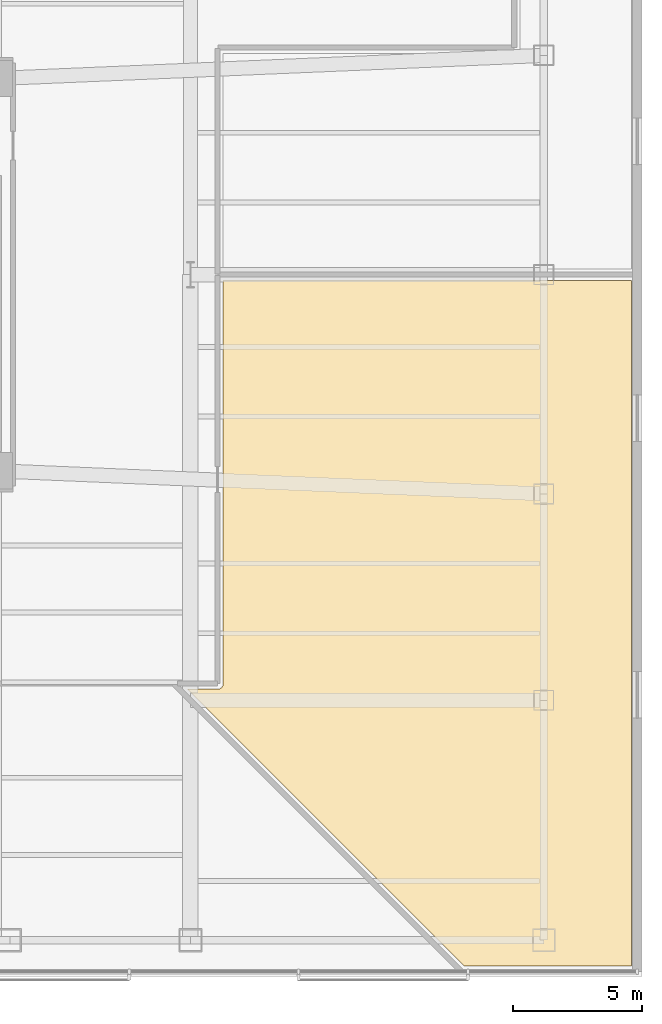
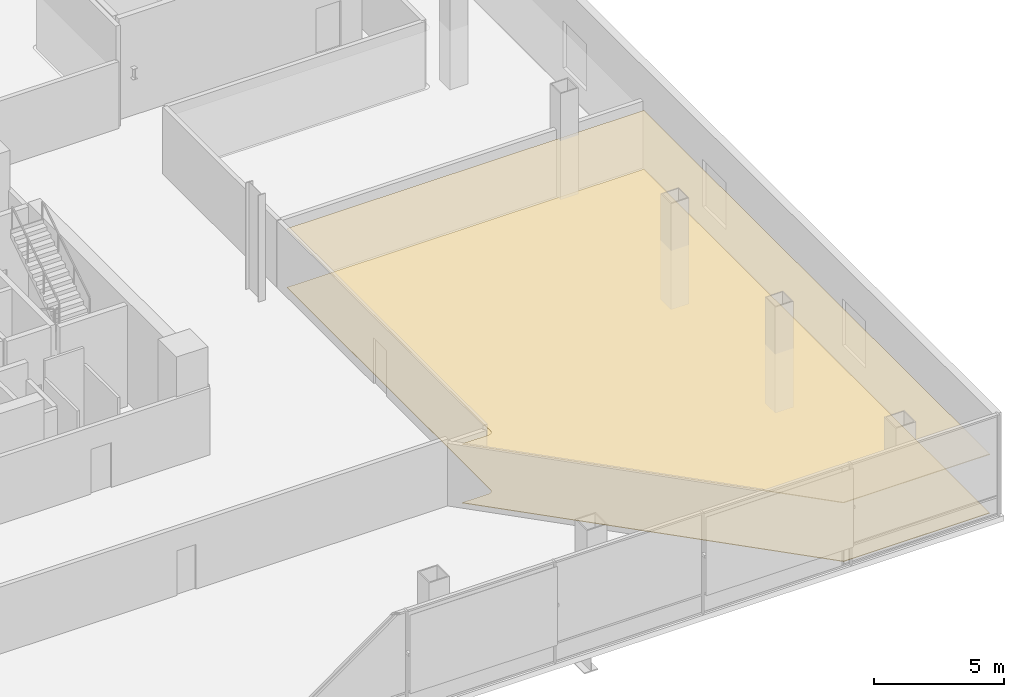
# One storey, part 21 of 24: 2 coverings.
"""IFC4 building model written with IfcOpenShell, lengths in metres."""

from ifc_helpers import new_model, si_unit, direction, frame, origin, place, context, subcontext, project, spatial, polyline, outline, extrude, material, layer, layer_set, type_object, element, save


model = new_model("IFC4")

# Units and contexts
model_context = context("Model", 3, precision=1e-05, world=origin(), true_north=direction((0.0, 1.0)))
body_context = subcontext(model_context, "Body", "Model", "MODEL_VIEW")
ifc_project = project(units=[si_unit("LENGTHUNIT", "METRE"), si_unit("AREAUNIT", "SQUARE_METRE"), si_unit("VOLUMEUNIT", "CUBIC_METRE"), si_unit("PLANEANGLEUNIT", "RADIAN"), si_unit("MASSUNIT", "GRAM", prefix="KILO")], contexts=[model_context])

# Site, building, storey
site_placement = place(None, origin())
site = spatial("IfcSite", under=ifc_project, at=site_placement, CompositionType="ELEMENT")
building_placement = place(site_placement, origin())
building = spatial("IfcBuilding", under=site, at=building_placement, Name="Tharavind Bronze Gate", CompositionType="ELEMENT")
storey_placement = place(building_placement, frame((0.0, 0.0, 21.5)))
storey = spatial("IfcBuildingStorey", under=building, at=storey_placement, Name="L04", CompositionType="ELEMENT", Elevation=21.5)

# Coverings
ifc_material_1 = material(Name="Engineered Oak & Carpet Tile", Category="wood")
ifc_layer_1 = layer(ifc_material_1, 0.02490234375)
ifc_layer_set_1 = layer_set([ifc_layer_1], Name="Engineered Oak & Carpet Tile")
covering_type_1 = type_object("IfcCoveringType", Name="ENGINEERED TIMBER FLOORING", PredefinedType="FLOORING", material=ifc_layer_set_1)
covering_1_placement = place(storey_placement, origin())
element("IfcCovering", 1, at=covering_1_placement, inside=storey, type_object=covering_type_1, Name="L04-PD-05 floor finish", PredefinedType="FLOORING", context=body_context, shape_type="SweptSolid", body=[
    extrude(outline(polyline([(27.111083984375, -26.800048828125), (33.60009765625, -26.800048828125), (33.60009765625, -0.219970703125), (17.77001953125, -0.219970703125), (17.77001953125, -15.849365234375), (17.769775390625, -15.860107421875), (17.769775390625, -15.86083984375), (17.767578125, -15.88232421875), (17.763427734375, -15.9033203125), (17.757080078125, -15.924072265625), (17.748779296875, -15.944091796875), (17.73876953125, -15.963134765625), (17.726806640625, -15.98095703125), (17.712890625, -15.997802734375), (17.69775390625, -16.012939453125), (17.680908203125, -16.026611328125), (17.6630859375, -16.038818359375), (17.64404296875, -16.048828125), (17.6240234375, -16.05712890625), (17.603515625, -16.0634765625), (17.582275390625, -16.067626953125), (17.560791015625, -16.069580078125), (17.560302734375, -16.069580078125), (17.54931640625, -16.070068359375), (16.381103515625, -16.070068359375), (27.111083984375, -26.800048828125)])), origin(), (0.0, 0.0, 1.0), 0.02490234375),
])
ifc_material_2 = material(Name="Acoustic Gypsum Board", Category="gypsum")
ifc_layer_2 = layer(ifc_material_2, 0.030029296875)
ifc_layer_set_2 = layer_set([ifc_layer_2], Name="Acoustic Gypsum Board")
covering_type_2 = type_object("IfcCoveringType", Name="GYPSUM SUSPENDED CEILING", PredefinedType="CEILING", material=ifc_layer_set_2)
covering_2_placement = place(storey_placement, frame((0.0, 0.0, 2.75)))
element("IfcCovering", 2, at=covering_2_placement, inside=storey, type_object=covering_type_2, Name="L04-PD-05 suspended ceiling", PredefinedType="CEILING", context=body_context, shape_type="SweptSolid", body=[
    extrude(outline(polyline([(27.111083984375, -26.800048828125), (33.60009765625, -26.800048828125), (33.60009765625, -0.219970703125), (17.77001953125, -0.219970703125), (17.77001953125, -15.849365234375), (17.769775390625, -15.860107421875), (17.769775390625, -15.86083984375), (17.767578125, -15.88232421875), (17.763427734375, -15.9033203125), (17.757080078125, -15.924072265625), (17.748779296875, -15.944091796875), (17.73876953125, -15.963134765625), (17.726806640625, -15.98095703125), (17.712890625, -15.997802734375), (17.69775390625, -16.012939453125), (17.680908203125, -16.026611328125), (17.6630859375, -16.038818359375), (17.64404296875, -16.048828125), (17.6240234375, -16.05712890625), (17.603515625, -16.0634765625), (17.582275390625, -16.067626953125), (17.560791015625, -16.069580078125), (17.560302734375, -16.069580078125), (17.54931640625, -16.070068359375), (16.381103515625, -16.070068359375), (27.111083984375, -26.800048828125)])), origin(), (0.0, 0.0, 1.0), 0.034912109375),
])

save(model, "model.ifc")
